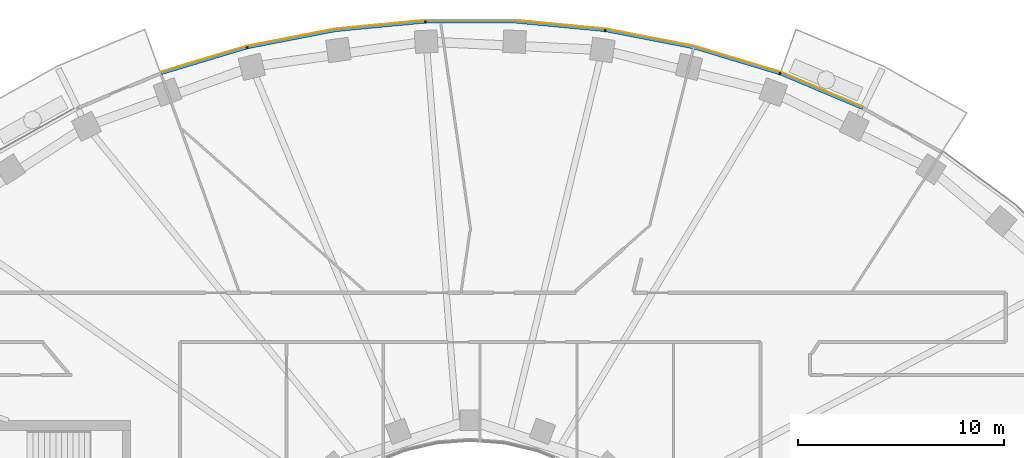
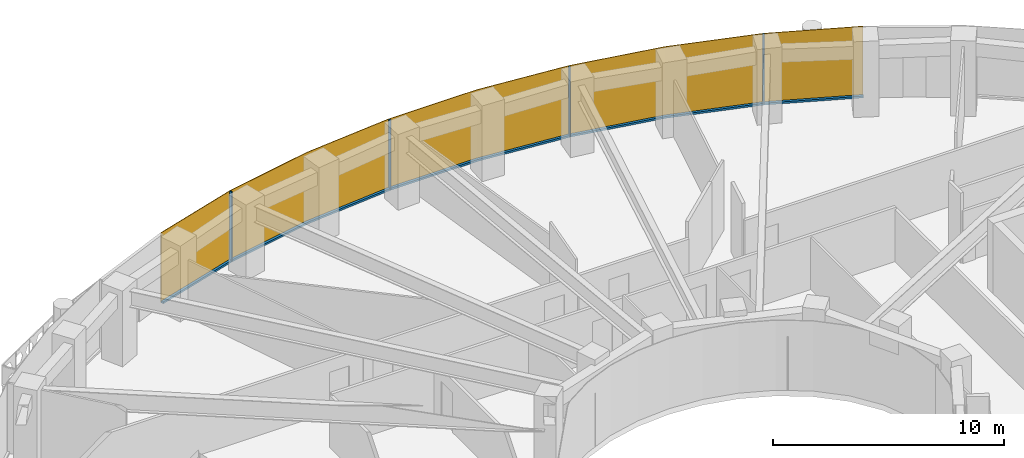
# One storey, part 12 of 15: 9 members, 1 curtain wall.
"""IFC4 building model written with IfcOpenShell, lengths in metres."""

import ifcopenshell
import ifcopenshell.guid

model = None  # the IFC model being written
_history = None  # IfcOwnerHistory: only IFC2X3 demands one
_inside = {}  # id of a spatial element -> (the spatial element, [elements in it])
_under = {}  # id of a project, library or spatial element -> (it, [spatial elements below it])
_declared = {}  # id of a project -> (the project, [libraries it declares])
_typed = {}  # id of a type object -> (the type object, [elements of that type])
_made_of = {}  # id of a material, layer set ... -> (it, [elements and type objects made of it])


def new_model(schema):
    """Start an empty IFC model of exactly this schema.

    Asked for "IFC4X3", IfcOpenShell would pick the latest addendum, in which some entities
    have other attributes; the version numbers below select the first issue.
    IFC2X3 requires an IfcOwnerHistory on every rooted entity: one is made here for all.
    """
    global model, _history
    if schema == "IFC4X3":
        model = ifcopenshell.file(schema_version=(4, 3, 0, 0))
    else:
        model = ifcopenshell.file(schema=schema)
    _inside.clear()
    _under.clear()
    _declared.clear()
    _typed.clear()
    _made_of.clear()
    _history = None
    if model.schema == "IFC2X3":
        org = make("IfcOrganization", Name="unknown")
        user = make(
            "IfcPersonAndOrganization",
            ThePerson=make("IfcPerson", FamilyName="unknown"),
            TheOrganization=org,
        )
        app = make(
            "IfcApplication",
            ApplicationDeveloper=org,
            Version="unknown",
            ApplicationFullName="unknown",
            ApplicationIdentifier="unknown",
        )
        _history = make(
            "IfcOwnerHistory",
            OwningUser=user,
            OwningApplication=app,
            ChangeAction="ADDED",
            CreationDate=0,
        )
    return model


def make(cls, **values):
    """One entity of the class cls with the attributes given. An attribute that is None is left unset."""
    return model.create_entity(
        cls, **{name: value for name, value in values.items() if value is not None}
    )


def rooted(cls, **values):
    """An entity with a GlobalId (a new one), such as an element, a storey or a relation."""
    return make(cls, GlobalId=ifcopenshell.guid.new(), OwnerHistory=_history, **values)


def si_unit(unit_type, name, prefix=None):
    """IfcSIUnit, for example si_unit("LENGTHUNIT", "METRE", prefix="MILLI")."""
    return make("IfcSIUnit", UnitType=unit_type, Prefix=prefix, Name=name)


def assignment(units):
    """IfcUnitAssignment: the units of a project."""
    return None if units is None else make("IfcUnitAssignment", Units=units)


def point(xyz):
    """IfcCartesianPoint."""
    return None if xyz is None else make("IfcCartesianPoint", Coordinates=xyz)


def direction(xyz):
    """IfcDirection."""
    return None if xyz is None else make("IfcDirection", DirectionRatios=xyz)


def frame(location, z_axis=None, x_axis=None):
    """IfcAxis2Placement3D, a coordinate frame: its origin and axes. An axis left out is left unset."""
    return make(
        "IfcAxis2Placement3D",
        Location=point(location),
        Axis=direction(z_axis),
        RefDirection=direction(x_axis),
    )


def frame_2d(location, x_axis=None):
    """IfcAxis2Placement2D, a coordinate frame in the plane: its origin and x axis."""
    return make(
        "IfcAxis2Placement2D", Location=point(location), RefDirection=direction(x_axis)
    )


def origin():
    """The frame at (0, 0, 0) with its axes left unset."""
    return frame((0.0, 0.0, 0.0))


def origin_2d():
    """The frame at (0, 0) in the plane with its x axis left unset."""
    return frame_2d((0.0, 0.0))


def place(relative_to, where):
    """IfcLocalPlacement: puts the frame where relative to a parent placement (None: the world)."""
    return make(
        "IfcLocalPlacement", PlacementRelTo=relative_to, RelativePlacement=where
    )


def context(
    kind, dimensions, precision=None, world=None, true_north=None, identifier=None
):
    """IfcGeometricRepresentationContext, for example the 3D "Model" context."""
    return make(
        "IfcGeometricRepresentationContext",
        ContextIdentifier=identifier,
        ContextType=kind,
        CoordinateSpaceDimension=dimensions,
        Precision=precision,
        WorldCoordinateSystem=world,
        TrueNorth=true_north,
    )


def subcontext(parent, identifier, kind, view, scale=None):
    """IfcGeometricRepresentationSubContext, for example "Body" below "Model"."""
    return make(
        "IfcGeometricRepresentationSubContext",
        ContextIdentifier=identifier,
        ContextType=kind,
        ParentContext=parent,
        TargetScale=scale,
        TargetView=view,
    )


def project(units=None, contexts=None):
    """IfcProject with its units and contexts."""
    return rooted(
        "IfcProject",
        Name="project",
        RepresentationContexts=contexts,
        UnitsInContext=assignment(units),
    )


def spatial(cls, under=None, at=None, **own):
    """A site, building, storey or space (cls), placed at a placement, below another one or the project."""
    s = rooted(cls, ObjectPlacement=at, **own)
    if under is not None:
        _under.setdefault(under.id(), (under, []))[1].append(s)
    return s


def polyline(points):
    """IfcPolyline through the points."""
    return make("IfcPolyline", Points=[point(p) for p in points])


def profile(cls, at=None, kind="AREA", **sizes):
    """A parametric profile (cls). Its sizes go by their IFC names, for example OverallWidth=200.0."""
    return make(cls, ProfileType=kind, Position=at, **sizes)


def rectangle(**sizes):
    """IfcRectangleProfileDef."""
    return profile("IfcRectangleProfileDef", **sizes)


def outline(outer, holes=None, kind="AREA"):
    """IfcArbitraryClosedProfileDef: a profile drawn as a closed curve; with holes, ...WithVoids."""
    if holes is None:
        return make("IfcArbitraryClosedProfileDef", ProfileType=kind, OuterCurve=outer)
    return make(
        "IfcArbitraryProfileDefWithVoids",
        ProfileType=kind,
        OuterCurve=outer,
        InnerCurves=holes,
    )


def extrude(swept, where, along, depth):
    """IfcExtrudedAreaSolid: the profile swept, set in the frame where, extruded along a direction by depth."""
    return make(
        "IfcExtrudedAreaSolid",
        SweptArea=swept,
        Position=where,
        ExtrudedDirection=direction(along),
        Depth=depth,
    )


def shape(context_of_items, identifier, shape_type, items):
    """IfcShapeRepresentation: the items that make up one representation, for example the "Body"."""
    return make(
        "IfcShapeRepresentation",
        ContextOfItems=context_of_items,
        RepresentationIdentifier=identifier,
        RepresentationType=shape_type,
        Items=items,
    )


def material(Name=None, Category=None):
    """IfcMaterial."""
    return make("IfcMaterial", Name=Name, Category=Category)


def layer(
    of_material, thickness, ventilated=None, Name=None, Category=None, Priority=None
):
    """IfcMaterialLayer: one layer of a wall or slab, of a material (None: an air gap)."""
    return make(
        "IfcMaterialLayer",
        Material=of_material,
        LayerThickness=thickness,
        IsVentilated=ventilated,
        Name=Name,
        Category=Category,
        Priority=Priority,
    )


def layer_set(layers, Name=None):
    """IfcMaterialLayerSet."""
    return make("IfcMaterialLayerSet", MaterialLayers=layers, LayerSetName=Name)


def material_profile(
    of_material, cross_section, Name=None, Category=None, Priority=None
):
    """IfcMaterialProfile: a cross section and its material."""
    return make(
        "IfcMaterialProfile",
        Name=Name,
        Material=of_material,
        Profile=cross_section,
        Priority=Priority,
        Category=Category,
    )


def profile_set(profiles, Name=None, composite=None):
    """IfcMaterialProfileSet."""
    return make(
        "IfcMaterialProfileSet",
        Name=Name,
        MaterialProfiles=profiles,
        CompositeProfile=composite,
    )


def made_of(thing, what):
    """Note that an element or type object is made of a material, layer set ...; save() writes the relation."""
    if what is not None:
        _made_of.setdefault(what.id(), (what, []))[1].append(thing)
    return thing


def type_object(cls, material=None, **own):
    """A type object (cls), such as IfcWallType, which elements share."""
    return made_of(rooted(cls, **own), material)


def element(
    cls,
    number,
    at=None,
    inside=None,
    cuts=None,
    type_object=None,
    material=None,
    context=None,
    identifier="Body",
    shape_type=None,
    held_by="IfcProductDefinitionShape",
    body=None,
    shapes=None,
    **own,
):
    """One element of the class cls, such as IfcWall. Its Tag is "e" and its number.

    at: its placement. inside: the storey or other place that contains it. cuts: it is an
    opening in that element (IfcRelVoidsElement). A single representation is given by context,
    identifier, shape_type and body (its items); several are given by shapes. held_by: the class
    of the entity that holds the representations. save() writes the other relations.
    """
    e = rooted(cls, Tag="e%d" % number, ObjectPlacement=at, **own)
    if body is not None:
        shapes = [shape(context, identifier, shape_type, body)]
    if shapes is not None:
        e.Representation = make(held_by, Representations=shapes)
    if inside is not None:
        _inside.setdefault(inside.id(), (inside, []))[1].append(e)
    if cuts is not None:
        rooted(
            "IfcRelVoidsElement", RelatingBuildingElement=cuts, RelatedOpeningElement=e
        )
    if type_object is not None:
        _typed.setdefault(type_object.id(), (type_object, []))[1].append(e)
    return made_of(e, material)


def aggregate(whole, parts):
    """IfcRelAggregates: a whole, such as a stair, and the parts it consists of."""
    return rooted("IfcRelAggregates", RelatingObject=whole, RelatedObjects=parts)


def save(model, path):
    """Write the relations noted so far, then the file.

    IfcRelAggregates (storeys below a building ...), IfcRelContainedInSpatialStructure (elements
    in a storey), IfcRelDefinesByType, IfcRelAssociatesMaterial and IfcRelDeclares: one each for
    every whole, place, type object, material and project.
    """
    for whole, parts in _under.values():
        aggregate(whole, parts)
    for where, things in _inside.values():
        rooted(
            "IfcRelContainedInSpatialStructure",
            RelatedElements=things,
            RelatingStructure=where,
        )
    for kind, things in _typed.values():
        rooted("IfcRelDefinesByType", RelatedObjects=things, RelatingType=kind)
    for what, things in _made_of.values():
        rooted("IfcRelAssociatesMaterial", RelatedObjects=things, RelatingMaterial=what)
    for by, libraries in _declared.values():
        rooted("IfcRelDeclares", RelatingContext=by, RelatedDefinitions=libraries)
    model.write(path)


model = new_model("IFC4")

# Units and contexts
model_context = context("Model", 3, precision=1e-05, world=origin(), true_north=direction((0.0, 1.0)))
body_context = subcontext(model_context, "Body", "Model", "MODEL_VIEW")
ifc_project = project(units=[si_unit("LENGTHUNIT", "METRE"), si_unit("AREAUNIT", "SQUARE_METRE"), si_unit("VOLUMEUNIT", "CUBIC_METRE"), si_unit("PLANEANGLEUNIT", "RADIAN"), si_unit("MASSUNIT", "GRAM", prefix="KILO")], contexts=[model_context])

# Member
ifc_material_1 = material(Name="Aluminium 6063-T6 black anodised", Category="aluminium")
ifc_material_profile = material_profile(ifc_material_1, rectangle(XDim=0.1201171875, YDim=0.06005859375, at=origin_2d()), Name="120x60")
ifc_profile_set = profile_set([ifc_material_profile], Name="Aluminium 6063-T6 black anodised")
member_type_1 = type_object("IfcMemberType", Name="ENV-MULLION-A-120", PredefinedType="MULLION", material=ifc_profile_set)
site_placement = place(None, origin())
building_placement = place(site_placement, origin())
storey_placement = place(building_placement, frame((0.0, 0.0, 253.5)))
member_1_placement = place(storey_placement, frame((15.0341796875, 25.34375, 0.0), z_axis=(0.0, 0.0, 1.0), x_axis=(-0.338379256581, -0.941009818608, 0.0)))
member_1 = element("IfcMember", 1, at=member_1_placement, type_object=member_type_1, Name="Mullion A radial 09", PredefinedType="MULLION", context=body_context, shape_type="SweptSolid", body=[
    extrude(rectangle(XDim=0.1201171875, YDim=0.06005859375, at=origin_2d()), origin(), (0.0, 0.0, 1.0), 3.699951171875),
])

member_2_placement = place(storey_placement, frame((6.54638671875, 27.440185546875, 0.0), z_axis=(0.0, 0.0, 1.0), x_axis=(-0.143082012705, -0.989710835366, 0.0)))
member_2 = element("IfcMember", 2, at=member_2_placement, type_object=member_type_1, Name="Mullion A radial 11", PredefinedType="MULLION", context=body_context, shape_type="SweptSolid", body=[
    extrude(rectangle(XDim=0.1201171875, YDim=0.06005859375, at=origin_2d()), origin(), (0.0, 0.0, 1.0), 3.699951171875),
])

member_3_placement = place(storey_placement, frame((-2.188720703125, 27.856201171875, 0.0), z_axis=(0.0, 0.0, 1.0), x_axis=(0.047557873581, -0.998868484166, 0.0)))
member_3 = element("IfcMember", 3, at=member_3_placement, type_object=member_type_1, Name="Mullion A radial 13", PredefinedType="MULLION", context=body_context, shape_type="SweptSolid", body=[
    extrude(rectangle(XDim=0.1201171875, YDim=0.06005859375, at=origin_2d()), origin(), (0.0, 0.0, 1.0), 3.699951171875),
])

member_4_placement = place(storey_placement, frame((-10.84326171875, 26.60498046875, 0.0), z_axis=(0.0, 0.0, 1.0), x_axis=(0.239799081534, -0.970822538106, 0.0)))
member_4 = element("IfcMember", 4, at=member_4_placement, type_object=member_type_1, Name="Mullion A radial 15", PredefinedType="MULLION", context=body_context, shape_type="SweptSolid", body=[
    extrude(rectangle(XDim=0.1201171875, YDim=0.06005859375, at=origin_2d()), origin(), (0.0, 0.0, 1.0), 3.699951171875),
])

ifc_material_2 = material(Name="Aluminium 6063-T6 black anodised", Category="aluminium")
member_type_2 = type_object("IfcMemberType", Name="ENV-TRANSOM-A", PredefinedType="USERDEFINED", material=ifc_material_2)
member_5_placement = place(storey_placement, origin())
member_5 = element("IfcMember", 5, at=member_5_placement, type_object=member_type_2, Name="Transom A radial 08-09", ObjectType="TRANSOM", PredefinedType="USERDEFINED", context=body_context, shape_type="SweptSolid", body=[
    extrude(outline(polyline([(19.07568359375, 23.709228515625), (15.080322265625, 25.389404296875), (15.03955078125, 25.276123046875), (19.02294921875, 23.601318359375), (19.07568359375, 23.709228515625)])), origin(), (0.0, 0.0, 1.0), 0.10009765625),
])

member_6_placement = place(storey_placement, origin())
member_6 = element("IfcMember", 6, at=member_6_placement, type_object=member_type_2, Name="Transom A radial 09-11", ObjectType="TRANSOM", PredefinedType="USERDEFINED", context=body_context, shape_type="SweptSolid", body=[
    extrude(outline(polyline([(15.027587890625, 25.408203125), (10.857666015625, 26.6630859375), (6.58251953125, 27.494140625), (6.5654296875, 27.375244140625), (10.828857421875, 26.54638671875), (14.987060546875, 25.295166015625), (15.027587890625, 25.408203125)])), origin(), (0.0, 0.0, 1.0), 0.10009765625),
])

member_7_placement = place(storey_placement, origin())
member_7 = element("IfcMember", 7, at=member_7_placement, type_object=member_type_2, Name="Transom A radial 11-13", ObjectType="TRANSOM", PredefinedType="USERDEFINED", context=body_context, shape_type="SweptSolid", body=[
    extrude(outline(polyline([(6.527099609375, 27.502197265625), (2.191650390625, 27.916015625), (-2.163818359375, 27.916015625), (-2.157958984375, 27.7958984375), (2.185791015625, 27.7958984375), (6.510009765625, 27.38330078125), (6.527099609375, 27.502197265625)])), origin(), (0.0, 0.0, 1.0), 0.10009765625),
])

member_8_placement = place(storey_placement, origin())
member_8 = element("IfcMember", 8, at=member_8_placement, type_object=member_type_2, Name="Transom A radial 13-15", ObjectType="TRANSOM", PredefinedType="USERDEFINED", context=body_context, shape_type="SweptSolid", body=[
    extrude(outline(polyline([(-2.219482421875, 27.913330078125), (-6.55517578125, 27.49951171875), (-10.830078125, 26.66845703125), (-10.80126953125, 26.552001953125), (-6.537841796875, 27.380615234375), (-2.2138671875, 27.793212890625), (-2.219482421875, 27.913330078125)])), origin(), (0.0, 0.0, 1.0), 0.10009765625),
])

member_9_placement = place(storey_placement, origin())
member_9 = element("IfcMember", 9, at=member_9_placement, type_object=member_type_2, Name="Transom A radial 15-16", ObjectType="TRANSOM", PredefinedType="USERDEFINED", context=body_context, shape_type="SweptSolid", body=[
    extrude(outline(polyline([(-10.884521484375, 26.655029296875), (-15.035400390625, 25.406005859375), (-14.99462890625, 25.292724609375), (-10.855712890625, 26.53857421875), (-10.884521484375, 26.655029296875)])), origin(), (0.0, 0.0, 1.0), 0.10009765625),
])

# Site, building, storey
site = spatial("IfcSite", under=ifc_project, at=site_placement, CompositionType="ELEMENT")
building = spatial("IfcBuilding", under=site, at=building_placement, Name="Noorbagh Ring Tower", CompositionType="ELEMENT")
storey = spatial("IfcBuildingStorey", under=building, at=storey_placement, Name="L53", CompositionType="ELEMENT", Elevation=253.5)

# Curtain wall
ifc_material_3 = material(Name="Glass dark tinted laminated", Category="glass")
ifc_layer = layer(ifc_material_3, 0.031982421875)
ifc_layer_set = layer_set([ifc_layer], Name="Glass dark tinted laminated")
curtain_wall_type = type_object("IfcCurtainWallType", Name="ENV-CW-A", PredefinedType="NOTDEFINED", material=ifc_layer_set)
curtain_wall_placement = place(storey_placement, origin())
curtain_wall = element("IfcCurtainWall", 10, at=curtain_wall_placement, inside=storey, type_object=curtain_wall_type, Name="Curtain wall A R08", PredefinedType="NOTDEFINED", context=body_context, shape_type="SweptSolid", body=[
    extrude(outline(polyline([(19.08984375, 23.738037109375), (15.065185546875, 25.430419921875), (10.865234375, 26.6943359375), (6.559814453125, 27.53125), (2.193115234375, 27.947998046875), (-2.193115234375, 27.947998046875), (-6.559814453125, 27.53125), (-10.865234375, 26.6943359375), (-15.046142578125, 25.43603515625), (-15.035400390625, 25.406005859375), (-10.857666015625, 26.6630859375), (-6.55517578125, 27.49951171875), (-2.191650390625, 27.916015625), (2.191650390625, 27.916015625), (6.55517578125, 27.49951171875), (10.857666015625, 26.6630859375), (15.054443359375, 25.400146484375), (19.07568359375, 23.709228515625), (19.08984375, 23.738037109375)])), origin(), (0.0, 0.0, 1.0), 3.699951171875),
])

aggregate(curtain_wall, [member_1, member_2, member_3, member_4, member_5, member_6, member_7, member_8, member_9])

save(model, "model.ifc")
